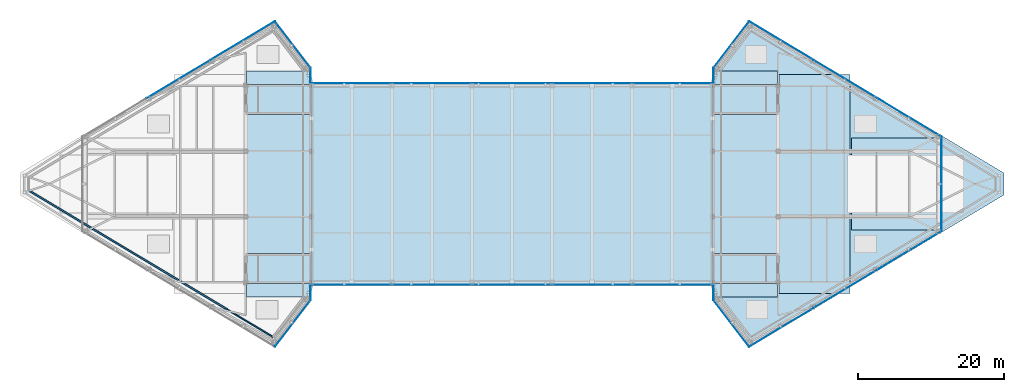
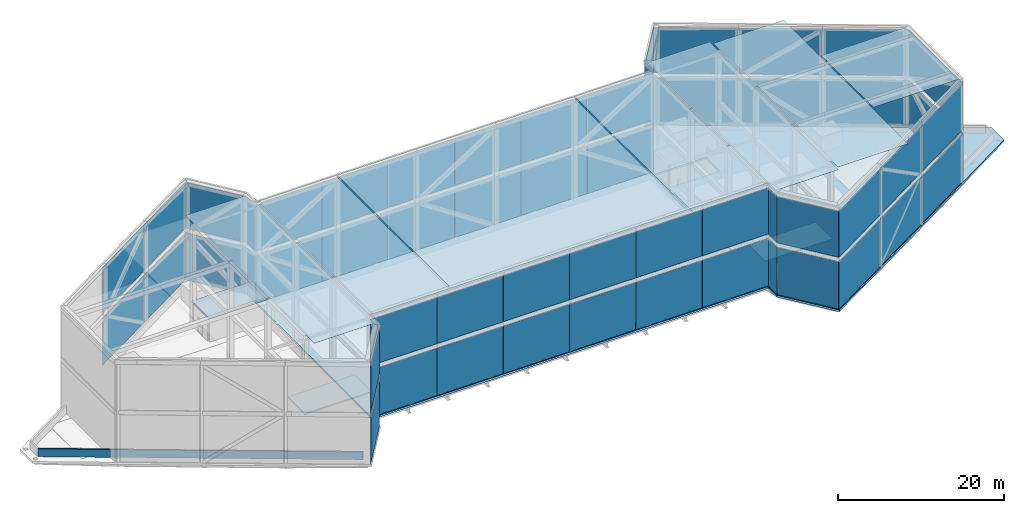
# One storey, part 7 of 16: 65 plates, 6 slabs, 1 wall.
"""IFC4 building model written with IfcOpenShell, lengths in metres."""

from ifc_helpers import new_model, si_unit, direction, frame, frame_2d, origin, origin_2d, place, context, subcontext, project, spatial, polyline, rectangle, outline, extrude, source, transform, mapped, material, layer, layer_set, type_object, type_shapes, element, save


model = new_model("IFC4")

# Units and contexts
model_context = context("Model", 3, precision=1e-05, world=origin(), true_north=direction((0.0, 1.0)))
body_context = subcontext(model_context, "Body", "Model", "MODEL_VIEW")
ifc_project = project(units=[si_unit("LENGTHUNIT", "METRE"), si_unit("AREAUNIT", "SQUARE_METRE"), si_unit("VOLUMEUNIT", "CUBIC_METRE"), si_unit("PLANEANGLEUNIT", "RADIAN"), si_unit("MASSUNIT", "GRAM", prefix="KILO")], contexts=[model_context])

# Site, building, storey
site_placement = place(None, origin())
site = spatial("IfcSite", under=ifc_project, at=site_placement, CompositionType="ELEMENT")
building_placement = place(site_placement, origin())
building = spatial("IfcBuilding", under=site, at=building_placement, Name="Seokmaru Belvedere", CompositionType="ELEMENT")
storey_placement = place(building_placement, frame((0.0, 0.0, 279.0)))
storey = spatial("IfcBuildingStorey", under=building, at=storey_placement, Name="RF", CompositionType="ELEMENT", Elevation=279.0)

# Slabs
ifc_material_1 = material(Name="Concrete C50 (50 MPa)", Category="concrete")
ifc_layer_1 = layer(ifc_material_1, 0.280029296875)
ifc_layer_set_1 = layer_set([ifc_layer_1], Name="Concrete C50 (50 MPa)")
slab_type_1 = type_object("IfcSlabType", Name="Main Structural Roof Deck Slab 280", PredefinedType="ROOF", material=ifc_layer_set_1)
slab_1_placement = place(storey_placement, frame((0.0, 0.0, -0.280029296875)))
element("IfcSlab", 1, at=slab_1_placement, inside=storey, type_object=slab_type_1, Name="RF Sky-Gate Bridge Main Roof Slab", PredefinedType="ROOF", context=body_context, shape_type="SweptSolid", body=[
    extrude(outline(polyline([(-27.5, -13.949951171875), (27.5, -13.949951171875), (27.5, 13.949951171875), (-27.5, 13.949951171875), (-27.5, -13.949951171875)])), origin(), (0.0, 0.0, 1.0), 0.280029296875),
])
slab_2_placement = place(storey_placement, frame((0.0, 0.0, -0.280029296875)))
element("IfcSlab", 2, at=slab_2_placement, inside=storey, type_object=slab_type_1, Name="RF East Tower Main Roof Slab", PredefinedType="ROOF", context=body_context, shape_type="SweptSolid", body=[
    extrude(outline(polyline([(32.5, -22.5), (67.5, -1.5), (67.5, 1.5), (32.5, 22.5), (27.5, 16.0), (27.5, -16.0), (32.5, -22.5)]), holes=[polyline([(27.75, -13.25), (34.60009765625, -13.25), (34.60009765625, -9.949951171875), (27.75, -9.949951171875), (27.75, -13.25)]), polyline([(27.75, 9.949951171875), (34.60009765625, 9.949951171875), (34.60009765625, 13.25), (27.75, 13.25), (27.75, 9.949951171875)])]), origin(), (0.0, 0.0, 1.0), 0.280029296875),
])
ifc_material_2 = material(Name="Concrete C40 (40 MPa)", Category="concrete")
ifc_layer_2 = layer(ifc_material_2, 0.219970703125)
ifc_layer_set_2 = layer_set([ifc_layer_2], Name="Concrete C40 (40 MPa)")
slab_type_2 = type_object("IfcSlabType", Name="Stair Headhouse Enclosure Cap Slab 220", PredefinedType="USERDEFINED", material=ifc_layer_set_2)
slab_3_placement = place(storey_placement, frame((0.0, 0.0, 3.39990234375)))
element("IfcSlab", 3, at=slab_3_placement, inside=storey, type_object=slab_type_2, Name="RF W Stair Headhouse Enclosure Cap Slab 1", ObjectType="HEADHOUSE_CAP", PredefinedType="USERDEFINED", context=body_context, shape_type="SweptSolid", body=[
    extrude(outline(polyline([(-36.64990234375, -13.64990234375), (-27.35009765625, -13.64990234375), (-27.35009765625, -9.550048828125), (-36.64990234375, -9.550048828125), (-36.64990234375, -13.64990234375)])), origin(), (0.0, 0.0, 1.0), 0.22021484375),
])
slab_4_placement = place(storey_placement, frame((0.0, 0.0, 3.39990234375)))
element("IfcSlab", 4, at=slab_4_placement, inside=storey, type_object=slab_type_2, Name="RF W Stair Headhouse Enclosure Cap Slab 2", ObjectType="HEADHOUSE_CAP", PredefinedType="USERDEFINED", context=body_context, shape_type="SweptSolid", body=[
    extrude(outline(polyline([(-36.64990234375, 9.550048828125), (-27.35009765625, 9.550048828125), (-27.35009765625, 13.64990234375), (-36.64990234375, 13.64990234375), (-36.64990234375, 9.550048828125)])), origin(), (0.0, 0.0, 1.0), 0.22021484375),
])
slab_5_placement = place(storey_placement, frame((0.0, 0.0, 3.39990234375)))
element("IfcSlab", 5, at=slab_5_placement, inside=storey, type_object=slab_type_2, Name="RF E Stair Headhouse Enclosure Cap Slab 1", ObjectType="HEADHOUSE_CAP", PredefinedType="USERDEFINED", context=body_context, shape_type="SweptSolid", body=[
    extrude(outline(polyline([(27.35009765625, -13.64990234375), (36.64990234375, -13.64990234375), (36.64990234375, -9.550048828125), (27.35009765625, -9.550048828125), (27.35009765625, -13.64990234375)])), origin(), (0.0, 0.0, 1.0), 0.22021484375),
])
slab_6_placement = place(storey_placement, frame((0.0, 0.0, 3.39990234375)))
element("IfcSlab", 6, at=slab_6_placement, inside=storey, type_object=slab_type_2, Name="RF E Stair Headhouse Enclosure Cap Slab 2", ObjectType="HEADHOUSE_CAP", PredefinedType="USERDEFINED", context=body_context, shape_type="SweptSolid", body=[
    extrude(outline(polyline([(27.35009765625, 9.550048828125), (36.64990234375, 9.550048828125), (36.64990234375, 13.64990234375), (27.35009765625, 13.64990234375), (27.35009765625, 9.550048828125)])), origin(), (0.0, 0.0, 1.0), 0.22021484375),
])

# Plates
ifc_material_3 = material(Name="Perforated Anodised Bronze Sheet")
ifc_layer_3 = layer(ifc_material_3, 0.0400390625)
ifc_layer_set_3 = layer_set([ifc_layer_3], Name="Perforated Anodised Bronze Sheet")
plate_type_1 = type_object("IfcPlateType", Name="Perforated Bronze Anodised Screen Sheet 40", PredefinedType="SHEET", material=ifc_layer_set_3)
shared_shape_1 = source(origin(), body_context, "Body", "SweptSolid", [
    extrude(rectangle(XDim=9.17333984375, YDim=0.0400390625, at=origin_2d()), origin(), (0.0, 0.0, 1.0), 6.9599609375),
])
for number, where, z_axis, x_axis, name in (
    (7, (-23.033203125, -13.820068359375, 0.0), (0.0, 0.0, 1.0), (1.0, 0.0, 0.0), "RF Perforated Bronze Plant Screen Lower 01"),
    (8, (-13.820068359375, -13.820068359375, 0.0), (0.0, 0.0, 1.0), (1.0, 0.0, 0.0), "RF Perforated Bronze Plant Screen Lower 02"),
    (9, (-4.606689453125, -13.820068359375, 0.0), (0.0, 0.0, 1.0), (1.0, 0.0, 0.0), "RF Perforated Bronze Plant Screen Lower 03"),
    (10, (4.606689453125, -13.820068359375, 0.0), (0.0, 0.0, 1.0), (1.0, 0.0, 0.0), "RF Perforated Bronze Plant Screen Lower 04"),
    (11, (13.820068359375, -13.820068359375, 0.0), (0.0, 0.0, 1.0), (1.0, 0.0, 0.0), "RF Perforated Bronze Plant Screen Lower 05"),
    (12, (23.033203125, -13.820068359375, 0.0), (0.0, 0.0, 1.0), (1.0, 0.0, 0.0), "RF Perforated Bronze Plant Screen Lower 06"),
    (13, (23.033203125, 13.820068359375, 0.0), (0.0, 0.0, 1.0), (-1.0, 0.0, 0.0), "RF Perforated Bronze Plant Screen Lower 18"),
    (14, (13.820068359375, 13.820068359375, 0.0), (0.0, 0.0, 1.0), (-1.0, 0.0, 0.0), "RF Perforated Bronze Plant Screen Lower 19"),
    (15, (4.606689453125, 13.820068359375, 0.0), (0.0, 0.0, 1.0), (-1.0, 0.0, 0.0), "RF Perforated Bronze Plant Screen Lower 20"),
    (16, (-4.606689453125, 13.820068359375, 0.0), (0.0, 0.0, 1.0), (-1.0, 0.0, 0.0), "RF Perforated Bronze Plant Screen Lower 21"),
    (17, (-13.820068359375, 13.820068359375, 0.0), (0.0, 0.0, 1.0), (-1.0, 0.0, 0.0), "RF Perforated Bronze Plant Screen Lower 22"),
    (18, (-23.033203125, 13.820068359375, 0.0), (0.0, 0.0, 1.0), (-1.0, 0.0, 0.0), "RF Perforated Bronze Plant Screen Lower 23"),
):
    element("IfcPlate", number, at=place(storey_placement, frame(where, z_axis=z_axis, x_axis=x_axis)), inside=storey, type_object=plate_type_1, Name=name, PredefinedType="SHEET", context=body_context, shape_type="MappedRepresentation", body=[
        mapped(shared_shape_1, transform((0.0, 0.0, 0.0), scale=1.0)),
    ])
ifc_layer_4 = layer(ifc_material_3, 0.0380859375)
ifc_layer_set_4 = layer_set([ifc_layer_4], Name="Perforated Anodised Bronze Sheet")
plate_type_2 = type_object("IfcPlateType", Name="Perforated Bronze End Screen Sheet 38", PredefinedType="SHEET", material=ifc_layer_set_4)
shared_shape_2 = source(origin(), body_context, "Body", "SweptSolid", [
    extrude(rectangle(XDim=9.17333984375, YDim=0.0380859375, at=origin_2d()), origin(), (0.0, 0.0, 1.0), 6.77001953125),
])
for number, where, z_axis, x_axis, name in (
    (19, (-23.033203125, -13.820068359375, 7.610107421875), (0.0, 0.0, 1.0), (1.0, 0.0, 0.0), "RF Perforated Bronze Plant Screen Upper 01"),
    (20, (-13.820068359375, -13.820068359375, 7.610107421875), (0.0, 0.0, 1.0), (1.0, 0.0, 0.0), "RF Perforated Bronze Plant Screen Upper 02"),
    (21, (-4.606689453125, -13.820068359375, 7.610107421875), (0.0, 0.0, 1.0), (1.0, 0.0, 0.0), "RF Perforated Bronze Plant Screen Upper 03"),
    (22, (4.606689453125, -13.820068359375, 7.610107421875), (0.0, 0.0, 1.0), (1.0, 0.0, 0.0), "RF Perforated Bronze Plant Screen Upper 04"),
    (23, (13.820068359375, -13.820068359375, 7.610107421875), (0.0, 0.0, 1.0), (1.0, 0.0, 0.0), "RF Perforated Bronze Plant Screen Upper 05"),
    (24, (23.033203125, -13.820068359375, 7.610107421875), (0.0, 0.0, 1.0), (1.0, 0.0, 0.0), "RF Perforated Bronze Plant Screen Upper 06"),
    (25, (23.033203125, 13.820068359375, 7.610107421875), (0.0, 0.0, 1.0), (-1.0, 0.0, 0.0), "RF Perforated Bronze Plant Screen Upper 18"),
    (26, (13.820068359375, 13.820068359375, 7.610107421875), (0.0, 0.0, 1.0), (-1.0, 0.0, 0.0), "RF Perforated Bronze Plant Screen Upper 19"),
    (27, (4.606689453125, 13.820068359375, 7.610107421875), (0.0, 0.0, 1.0), (-1.0, 0.0, 0.0), "RF Perforated Bronze Plant Screen Upper 20"),
    (28, (-4.606689453125, 13.820068359375, 7.610107421875), (0.0, 0.0, 1.0), (-1.0, 0.0, 0.0), "RF Perforated Bronze Plant Screen Upper 21"),
    (29, (-13.820068359375, 13.820068359375, 7.610107421875), (0.0, 0.0, 1.0), (-1.0, 0.0, 0.0), "RF Perforated Bronze Plant Screen Upper 22"),
    (30, (-23.033203125, 13.820068359375, 7.610107421875), (0.0, 0.0, 1.0), (-1.0, 0.0, 0.0), "RF Perforated Bronze Plant Screen Upper 23"),
):
    element("IfcPlate", number, at=place(storey_placement, frame(where, z_axis=z_axis, x_axis=x_axis)), inside=storey, type_object=plate_type_2, Name=name, PredefinedType="SHEET", context=body_context, shape_type="MappedRepresentation", body=[
        mapped(shared_shape_2, transform((0.0, 0.0, 0.0), scale=1.0)),
    ])
shared_shape_3 = source(origin(), body_context, "Body", "SweptSolid", [
    extrude(rectangle(XDim=2.09228515625, YDim=0.0380859375, at=origin_2d()), origin(), (0.0, 0.0, 1.0), 6.9599609375),
])
for number, where, z_axis, x_axis, name in (
    (31, (27.639892578125, -14.88623046875, 0.0), (0.0, 0.0, 1.0), (0.0, -1.0, 0.0), "RF Perforated Bronze Plant Screen Lower 07"),
    (32, (27.639892578125, 14.88623046875, 0.0), (0.0, 0.0, 1.0), (0.0, -1.0, 0.0), "RF Perforated Bronze Plant Screen Lower 17"),
    (33, (-27.639892578125, 14.88623046875, 0.0), (0.0, 0.0, 1.0), (0.0, 1.0, 0.0), "RF Perforated Bronze Plant Screen Lower 24"),
    (34, (-27.639892578125, -14.88623046875, 0.0), (0.0, 0.0, 1.0), (0.0, 1.0, 0.0), "RF Perforated Bronze Plant Screen Lower 34"),
):
    element("IfcPlate", number, at=place(storey_placement, frame(where, z_axis=z_axis, x_axis=x_axis)), inside=storey, type_object=plate_type_2, Name=name, PredefinedType="SHEET", context=body_context, shape_type="MappedRepresentation", body=[
        mapped(shared_shape_3, transform((0.0, 0.0, 0.0), scale=1.0)),
    ])
shared_shape_4 = source(origin(), body_context, "Body", "SweptSolid", [
    extrude(rectangle(XDim=2.09228515625, YDim=0.0380859375, at=origin_2d()), origin(), (0.0, 0.0, 1.0), 6.77001953125),
])
for number, where, z_axis, x_axis, name in (
    (35, (27.639892578125, -14.88623046875, 7.610107421875), (0.0, 0.0, 1.0), (0.0, -1.0, 0.0), "RF Perforated Bronze Plant Screen Upper 07"),
    (36, (27.639892578125, 14.88623046875, 7.610107421875), (0.0, 0.0, 1.0), (0.0, -1.0, 0.0), "RF Perforated Bronze Plant Screen Upper 17"),
    (37, (-27.639892578125, 14.88623046875, 7.610107421875), (0.0, 0.0, 1.0), (0.0, 1.0, 0.0), "RF Perforated Bronze Plant Screen Upper 24"),
    (38, (-27.639892578125, -14.88623046875, 7.610107421875), (0.0, 0.0, 1.0), (0.0, 1.0, 0.0), "RF Perforated Bronze Plant Screen Upper 34"),
):
    element("IfcPlate", number, at=place(storey_placement, frame(where, z_axis=z_axis, x_axis=x_axis)), inside=storey, type_object=plate_type_2, Name=name, PredefinedType="SHEET", context=body_context, shape_type="MappedRepresentation", body=[
        mapped(shared_shape_4, transform((0.0, 0.0, 0.0), scale=1.0)),
    ])
shared_shape_5 = source(origin(), body_context, "Body", "SweptSolid", [
    extrude(rectangle(XDim=7.98828125, YDim=0.0400390625, at=origin_2d()), origin(), (0.0, 0.0, 1.0), 6.9599609375),
])
type_shapes(plate_type_1, [shared_shape_1, shared_shape_5])
for number, where, z_axis, x_axis, name in (
    (39, (30.08740234375, -19.134033203125, 0.0), (0.0, 0.0, 1.0), (0.609709487731, -0.792624968425, 0.0), "RF Perforated Bronze Plant Screen Lower 08"),
    (40, (30.08740234375, 19.134033203125, 0.0), (0.0, 0.0, 1.0), (-0.609709487731, -0.792624968425, 0.0), "RF Perforated Bronze Plant Screen Lower 16"),
    (41, (-30.08740234375, 19.134033203125, 0.0), (0.0, 0.0, 1.0), (-0.609709487731, 0.792624968425, 0.0), "RF Perforated Bronze Plant Screen Lower 25"),
    (42, (-30.08740234375, -19.134033203125, 0.0), (0.0, 0.0, 1.0), (0.609709487731, 0.792624968425, 0.0), "RF Perforated Bronze Plant Screen Lower 33"),
):
    element("IfcPlate", number, at=place(storey_placement, frame(where, z_axis=z_axis, x_axis=x_axis)), inside=storey, type_object=plate_type_1, Name=name, PredefinedType="SHEET", context=body_context, shape_type="MappedRepresentation", body=[
        mapped(shared_shape_5, transform((0.0, 0.0, 0.0), scale=1.0)),
    ])
shared_shape_6 = source(origin(), body_context, "Body", "SweptSolid", [
    extrude(rectangle(XDim=7.98828125, YDim=0.0380859375, at=origin_2d()), origin(), (0.0, 0.0, 1.0), 6.77001953125),
])
type_shapes(plate_type_2, [shared_shape_2, shared_shape_3, shared_shape_4, shared_shape_6])
for number, where, z_axis, x_axis, name in (
    (43, (30.08740234375, -19.134033203125, 7.610107421875), (0.0, 0.0, 1.0), (0.609709487731, -0.792624968425, 0.0), "RF Perforated Bronze Plant Screen Upper 08"),
    (44, (30.08740234375, 19.134033203125, 7.610107421875), (0.0, 0.0, 1.0), (-0.609709487731, -0.792624968425, 0.0), "RF Perforated Bronze Plant Screen Upper 16"),
    (45, (-30.08740234375, 19.134033203125, 7.610107421875), (0.0, 0.0, 1.0), (-0.609709487731, 0.792624968425, 0.0), "RF Perforated Bronze Plant Screen Upper 25"),
    (46, (-30.08740234375, -19.134033203125, 7.610107421875), (0.0, 0.0, 1.0), (0.609709487731, 0.792624968425, 0.0), "RF Perforated Bronze Plant Screen Upper 33"),
):
    element("IfcPlate", number, at=place(storey_placement, frame(where, z_axis=z_axis, x_axis=x_axis)), inside=storey, type_object=plate_type_2, Name=name, PredefinedType="SHEET", context=body_context, shape_type="MappedRepresentation", body=[
        mapped(shared_shape_6, transform((0.0, 0.0, 0.0), scale=1.0)),
    ])
ifc_layer_5 = layer(ifc_material_3, 0.044921875)
ifc_layer_set_5 = layer_set([ifc_layer_5], Name="Perforated Anodised Bronze Sheet")
plate_type_3 = type_object("IfcPlateType", Name="Perforated Bronze Anodised Wide Screen Sheet 45", PredefinedType="SHEET", material=ifc_layer_set_5)
shared_shape_7 = source(origin(), body_context, "Body", "SweptSolid", [
    extrude(rectangle(XDim=10.212890625, YDim=0.044921875, at=origin_2d()), origin(), (0.0, 0.0, 1.0), 6.9599609375),
])
for number, where, z_axis, x_axis, name in (
    (47, (36.930908203125, -19.67822265625, 0.0), (0.0, 0.0, 1.0), (0.857492535386, 0.514496405972, 0.0), "RF Perforated Bronze Plant Screen Lower 09"),
    (48, (45.722412109375, -14.4033203125, 0.0), (0.0, 0.0, 1.0), (0.857492535386, 0.514496405972, 0.0), "RF Perforated Bronze Plant Screen Lower 10"),
    (49, (54.51416015625, -9.128173828125, 0.0), (0.0, 0.0, 1.0), (0.857492535386, 0.514496405972, 0.0), "RF Perforated Bronze Plant Screen Lower 11"),
    (50, (54.51416015625, 9.128173828125, 0.0), (0.0, 0.0, 1.0), (-0.857492535386, 0.514496405972, 0.0), "RF Perforated Bronze Plant Screen Lower 13"),
    (51, (45.722412109375, 14.4033203125, 0.0), (0.0, 0.0, 1.0), (-0.857492535386, 0.514496405972, 0.0), "RF Perforated Bronze Plant Screen Lower 14"),
    (52, (36.930908203125, 19.67822265625, 0.0), (0.0, 0.0, 1.0), (-0.857492535386, 0.514496405972, 0.0), "RF Perforated Bronze Plant Screen Lower 15"),
    (53, (-36.930908203125, 19.67822265625, 0.0), (0.0, 0.0, 1.0), (-0.857492535386, -0.514496405972, 0.0), "RF Perforated Bronze Plant Screen Lower 26"),
    (54, (-45.722412109375, 14.4033203125, 0.0), (0.0, 0.0, 1.0), (-0.857492535386, -0.514496405972, 0.0), "RF Perforated Bronze Plant Screen Lower 27"),
):
    element("IfcPlate", number, at=place(storey_placement, frame(where, z_axis=z_axis, x_axis=x_axis)), inside=storey, type_object=plate_type_3, Name=name, PredefinedType="SHEET", context=body_context, shape_type="MappedRepresentation", body=[
        mapped(shared_shape_7, transform((0.0, 0.0, 0.0), scale=1.0)),
    ])
ifc_layer_6 = layer(ifc_material_3, 0.04296875)
ifc_layer_set_6 = layer_set([ifc_layer_6], Name="Perforated Anodised Bronze Sheet")
plate_type_4 = type_object("IfcPlateType", Name="Perforated Bronze Upper Wide Screen Sheet 43", PredefinedType="SHEET", material=ifc_layer_set_6)
shared_shape_8 = source(origin(), body_context, "Body", "SweptSolid", [
    extrude(rectangle(XDim=10.212890625, YDim=0.04296875, at=origin_2d()), origin(), (0.0, 0.0, 1.0), 6.77001953125),
])
for number, where, z_axis, x_axis, name in (
    (55, (36.930908203125, -19.67822265625, 7.610107421875), (0.0, 0.0, 1.0), (0.857492535386, 0.514496405972, 0.0), "RF Perforated Bronze Plant Screen Upper 09"),
    (56, (45.722412109375, -14.4033203125, 7.610107421875), (0.0, 0.0, 1.0), (0.857492535386, 0.514496405972, 0.0), "RF Perforated Bronze Plant Screen Upper 10"),
    (57, (54.51416015625, -9.128173828125, 7.610107421875), (0.0, 0.0, 1.0), (0.857492535386, 0.514496405972, 0.0), "RF Perforated Bronze Plant Screen Upper 11"),
    (58, (54.51416015625, 9.128173828125, 7.610107421875), (0.0, 0.0, 1.0), (-0.857492535386, 0.514496405972, 0.0), "RF Perforated Bronze Plant Screen Upper 13"),
    (59, (45.722412109375, 14.4033203125, 7.610107421875), (0.0, 0.0, 1.0), (-0.857492535386, 0.514496405972, 0.0), "RF Perforated Bronze Plant Screen Upper 14"),
    (60, (36.930908203125, 19.67822265625, 7.610107421875), (0.0, 0.0, 1.0), (-0.857492535386, 0.514496405972, 0.0), "RF Perforated Bronze Plant Screen Upper 15"),
    (61, (-36.930908203125, 19.67822265625, 7.610107421875), (0.0, 0.0, 1.0), (-0.857492535386, -0.514496405972, 0.0), "RF Perforated Bronze Plant Screen Upper 26"),
    (62, (-45.722412109375, 14.4033203125, 7.610107421875), (0.0, 0.0, 1.0), (-0.857492535386, -0.514496405972, 0.0), "RF Perforated Bronze Plant Screen Upper 27"),
):
    element("IfcPlate", number, at=place(storey_placement, frame(where, z_axis=z_axis, x_axis=x_axis)), inside=storey, type_object=plate_type_4, Name=name, PredefinedType="SHEET", context=body_context, shape_type="MappedRepresentation", body=[
        mapped(shared_shape_8, transform((0.0, 0.0, 0.0), scale=1.0)),
    ])
shared_shape_9 = source(origin(), body_context, "Body", "SweptSolid", [
    extrude(rectangle(XDim=12.94140625, YDim=0.044921875, at=origin_2d()), origin(), (0.0, 0.0, 1.0), 6.9599609375),
])
plate_1_placement = place(storey_placement, frame((58.909912109375, 0.0, 0.0), z_axis=(0.0, 0.0, 1.0), x_axis=(0.0, 1.0, 0.0)))
element("IfcPlate", 63, at=plate_1_placement, inside=storey, type_object=plate_type_3, Name="RF Perforated Bronze Plant Screen Lower 12", PredefinedType="SHEET", context=body_context, shape_type="MappedRepresentation", body=[
    mapped(shared_shape_9, transform((0.0, 0.0, 0.0), scale=1.0)),
])
shared_shape_10 = source(origin(), body_context, "Body", "SweptSolid", [
    extrude(rectangle(XDim=12.94140625, YDim=0.04296875, at=origin_2d()), origin(), (0.0, 0.0, 1.0), 6.77001953125),
])
type_shapes(plate_type_4, [shared_shape_8, shared_shape_10])
plate_2_placement = place(storey_placement, frame((58.909912109375, 0.0, 7.610107421875), z_axis=(0.0, 0.0, 1.0), x_axis=(0.0, 1.0, 0.0)))
element("IfcPlate", 64, at=plate_2_placement, inside=storey, type_object=plate_type_4, Name="RF Perforated Bronze Plant Screen Upper 12", PredefinedType="SHEET", context=body_context, shape_type="MappedRepresentation", body=[
    mapped(shared_shape_10, transform((0.0, 0.0, 0.0), scale=1.0)),
])
shared_shape_11 = source(origin(), body_context, "Body", "SweptSolid", [
    extrude(rectangle(XDim=10.800048828125, YDim=27.39990234375, at=origin_2d()), origin(), (0.0, 0.0, 1.0), 0.044921875),
])
for number, where, z_axis, x_axis, name in (
    (65, (-22.0, 0.0, 14.947509765625), (0.0, 0.0, 1.0), (1.0, 0.0, 0.0), "RF Perforated Bronze Plant-Screen Top Cap BR_W"),
    (66, (22.0, 0.0, 14.947509765625), (0.0, 0.0, 1.0), (1.0, 0.0, 0.0), "RF Perforated Bronze Plant-Screen Top Cap BR_E"),
):
    element("IfcPlate", number, at=place(storey_placement, frame(where, z_axis=z_axis, x_axis=x_axis)), inside=storey, type_object=plate_type_3, Name=name, PredefinedType="SHEET", context=body_context, shape_type="MappedRepresentation", body=[
        mapped(shared_shape_11, transform((0.0, 0.0, 0.0), scale=1.0)),
    ])
shared_shape_12 = source(origin(), body_context, "Body", "SweptSolid", [
    extrude(rectangle(XDim=32.800048828125, YDim=27.39990234375, at=origin_2d()), origin(), (0.0, 0.0, 1.0), 0.044921875),
])
plate_3_placement = place(storey_placement, frame((0.0, 0.0, 14.947509765625), z_axis=(0.0, 0.0, 1.0), x_axis=(1.0, 0.0, 0.0)))
element("IfcPlate", 67, at=plate_3_placement, inside=storey, type_object=plate_type_3, Name="RF Perforated Bronze Plant-Screen Top Cap BR_C", PredefinedType="SHEET", context=body_context, shape_type="MappedRepresentation", body=[
    mapped(shared_shape_12, transform((0.0, 0.0, 0.0), scale=1.0)),
])
shared_shape_13 = source(origin(), body_context, "Body", "SweptSolid", [
    extrude(rectangle(XDim=8.800048828125, YDim=31.0, at=origin_2d()), origin(), (0.0, 0.0, 1.0), 0.044921875),
])
for number, where, z_axis, x_axis, name in (
    (68, (-32.0, 0.0, 14.947509765625), (0.0, 0.0, 1.0), (1.0, 0.0, 0.0), "RF Perforated Bronze Plant-Screen Top Cap LG_WC"),
    (69, (32.0, 0.0, 14.947509765625), (0.0, 0.0, 1.0), (1.0, 0.0, 0.0), "RF Perforated Bronze Plant-Screen Top Cap LG_EC"),
):
    element("IfcPlate", number, at=place(storey_placement, frame(where, z_axis=z_axis, x_axis=x_axis)), inside=storey, type_object=plate_type_3, Name=name, PredefinedType="SHEET", context=body_context, shape_type="MappedRepresentation", body=[
        mapped(shared_shape_13, transform((0.0, 0.0, 0.0), scale=1.0)),
    ])
shared_shape_14 = source(origin(), body_context, "Body", "SweptSolid", [
    extrude(rectangle(XDim=9.800048828125, YDim=30.0, at=origin_2d()), origin(), (0.0, 0.0, 1.0), 0.044921875),
])
plate_4_placement = place(storey_placement, frame((41.5, 0.0, 14.947509765625), z_axis=(0.0, 0.0, 1.0), x_axis=(1.0, 0.0, 0.0)))
element("IfcPlate", 70, at=plate_4_placement, inside=storey, type_object=plate_type_3, Name="RF Perforated Bronze Plant-Screen Top Cap LG_E1", PredefinedType="SHEET", context=body_context, shape_type="MappedRepresentation", body=[
    mapped(shared_shape_14, transform((0.0, 0.0, 0.0), scale=1.0)),
])
shared_shape_15 = source(origin(), body_context, "Body", "SweptSolid", [
    extrude(rectangle(XDim=11.800048828125, YDim=12.60009765625, at=origin_2d()), origin(), (0.0, 0.0, 1.0), 0.044921875),
])
type_shapes(plate_type_3, [shared_shape_7, shared_shape_9, shared_shape_11, shared_shape_12, shared_shape_13, shared_shape_14, shared_shape_15])
plate_5_placement = place(storey_placement, frame((52.5, 0.0, 14.947509765625), z_axis=(0.0, 0.0, 1.0), x_axis=(1.0, 0.0, 0.0)))
element("IfcPlate", 71, at=plate_5_placement, inside=storey, type_object=plate_type_3, Name="RF Perforated Bronze Plant-Screen Top Cap LG_E2", PredefinedType="SHEET", context=body_context, shape_type="MappedRepresentation", body=[
    mapped(shared_shape_15, transform((0.0, 0.0, 0.0), scale=1.0)),
])

# Wall
ifc_layer_7 = layer(ifc_material_2, 0.219970703125)
ifc_layer_set_7 = layer_set([ifc_layer_7], Name="Concrete C40 (40 MPa)")
wall_type = type_object("IfcWallType", Name="Refuge and Roof Concrete Parapet 220", PredefinedType="PARAPET", material=ifc_layer_set_7)
wall_placement = place(storey_placement, frame((-66.35009765625, -0.848876953125, 0.0), z_axis=(0.0, 0.0, 1.0), x_axis=(0.857492925713, -0.514495755428, 0.0)))
element("IfcWall", 72, at=wall_placement, inside=storey, type_object=wall_type, Name="RF W Plant Deck Curb Parapet 5", PredefinedType="PARAPET", context=body_context, shape_type="SweptSolid", body=[
    extrude(rectangle(XDim=39.14111328125, YDim=0.219970703125, at=frame_2d((19.570556640625, 0.0))), origin(), (0.0, 0.0, 1.0), 1.14990234375),
])

save(model, "model.ifc")
